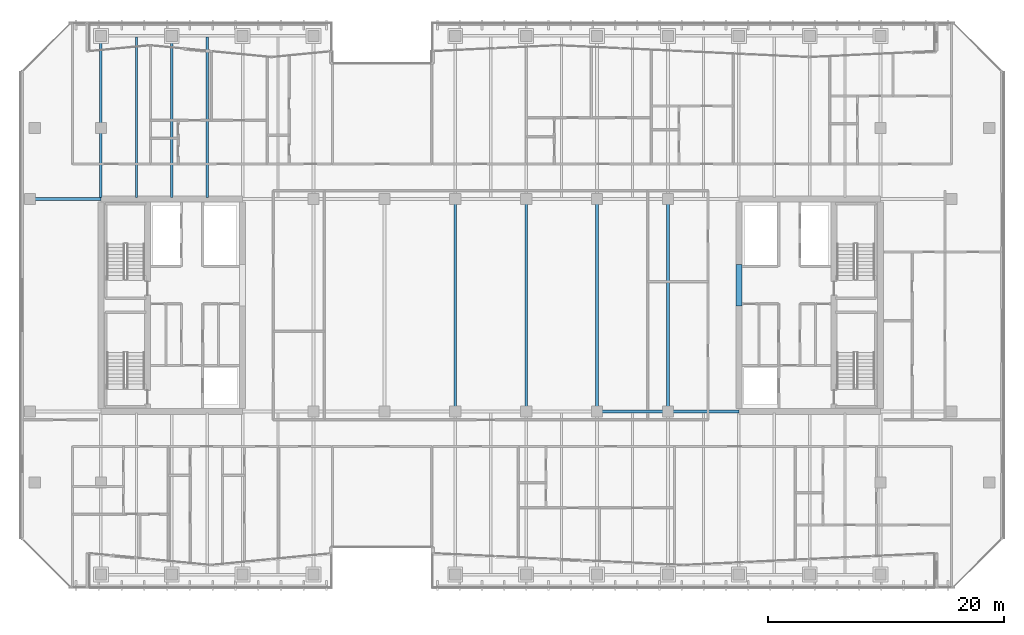
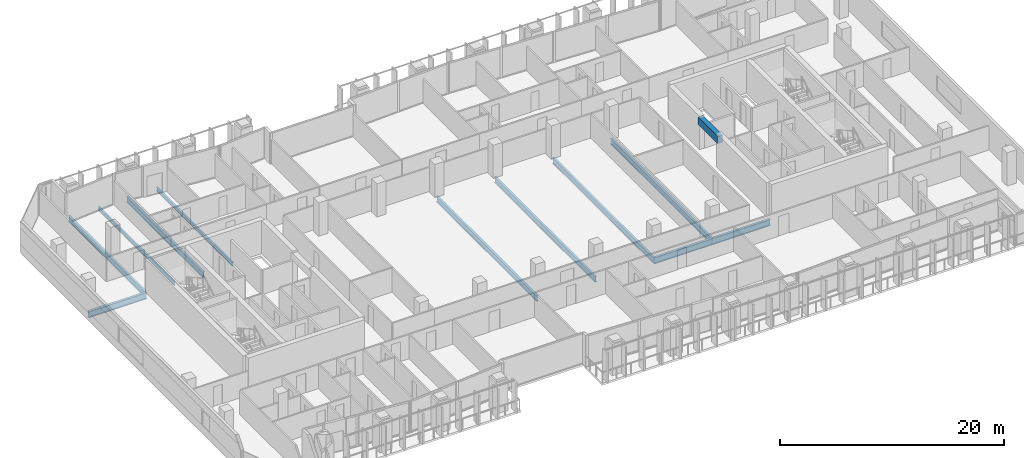
# One storey, part 10 of 39: 12 beams.
"""IFC4 building model written with IfcOpenShell, lengths in metres."""

from ifc_helpers import new_model, si_unit, direction, frame, origin, origin_2d, place, context, subcontext, project, spatial, rectangle, i_section, extrude, material, material_profile, profile_set, type_object, element, save


model = new_model("IFC4")

# Units and contexts
model_context = context("Model", 3, precision=1e-05, world=origin(), true_north=direction((0.0, 1.0)))
body_context = subcontext(model_context, "Body", "Model", "MODEL_VIEW")
ifc_project = project(units=[si_unit("LENGTHUNIT", "METRE"), si_unit("AREAUNIT", "SQUARE_METRE"), si_unit("VOLUMEUNIT", "CUBIC_METRE"), si_unit("PLANEANGLEUNIT", "RADIAN"), si_unit("MASSUNIT", "GRAM", prefix="KILO")], contexts=[model_context])

# Site, building, storey
site_placement = place(None, origin())
site = spatial("IfcSite", under=ifc_project, at=site_placement, CompositionType="ELEMENT")
building_placement = place(site_placement, origin())
building = spatial("IfcBuilding", under=site, at=building_placement, Name="Tanjung Sevakor Pilgrim Tower", CompositionType="ELEMENT")
storey_placement = place(building_placement, frame((0.0, 0.0, 108.570068359375)))
storey = spatial("IfcBuildingStorey", under=building, at=storey_placement, Name="L30", CompositionType="ELEMENT", Elevation=108.570068359375)

# Beams
ifc_material_1 = material(Name="Steel S355J2", Category="steel")
ifc_material_profile_1 = material_profile(ifc_material_1, i_section(OverallWidth=0.25439453125, OverallDepth=0.6875, WebThickness=0.01318359375, FlangeThickness=0.02099609375, FilletRadius=0.01513671875, at=origin_2d()))
ifc_profile_set_1 = profile_set([ifc_material_profile_1], Name="Steel S355J2")
beam_type_1 = type_object("IfcBeamType", Name="BM-B-G2-UB_686x254x152", PredefinedType="BEAM", material=ifc_profile_set_1)
for number, where, z_axis, x_axis, name in (
    (1, (66.0, 24.60009765625, -0.56396484375), (1.0, 0.0, 0.0), (0.0, 1.0, 0.0), "L30 Primary Floor Girder MAIN Y246-07"),
    (2, (72.0, 24.60009765625, -0.56396484375), (1.0, 0.0, 0.0), (0.0, 1.0, 0.0), "L30 Primary Floor Girder MAIN Y246-08"),
    (3, (18.0, 42.60009765625, -0.56396484375), (1.0, 0.0, 0.0), (0.0, 1.0, 0.0), "L30 Primary Floor Girder MAIN Y426-01"),
):
    element("IfcBeam", number, at=place(storey_placement, frame(where, z_axis=z_axis, x_axis=x_axis)), inside=storey, type_object=beam_type_1, Name=name, PredefinedType="BEAM", context=body_context, shape_type="SweptSolid", body=[
        extrude(i_section(OverallWidth=0.25439453125, OverallDepth=0.6875, WebThickness=0.01318359375, FlangeThickness=0.02099609375, FilletRadius=0.01513671875, at=origin_2d()), origin(), (0.0, 0.0, 1.0), 6.0),
    ])
ifc_material_2 = material(Name="Steel S355J2", Category="steel")
ifc_material_profile_2 = material_profile(ifc_material_2, i_section(OverallWidth=0.230224609375, OverallDepth=0.6171875, WebThickness=0.01318359375, FlangeThickness=0.022216796875, FilletRadius=0.0126953125, at=origin_2d()))
ifc_profile_set_2 = profile_set([ifc_material_profile_2], Name="Steel S355J2")
beam_type_2 = type_object("IfcBeamType", Name="BM-B-G3-UB_610x229x140", PredefinedType="BEAM", material=ifc_profile_set_2)
for number, where, z_axis, x_axis, name in (
    (4, (24.0, 42.727294921875, -0.528564453125), (0.0, 1.0, 0.0), (-1.0, 0.0, 0.0), "L30 MAIN Girder 002"),
    (5, (30.0, 42.727294921875, -0.528564453125), (0.0, 1.0, 0.0), (-1.0, 0.0, 0.0), "L30 MAIN Girder 006"),
):
    element("IfcBeam", number, at=place(storey_placement, frame(where, z_axis=z_axis, x_axis=x_axis)), inside=storey, type_object=beam_type_2, Name=name, PredefinedType="BEAM", context=body_context, shape_type="SweptSolid", body=[
        extrude(i_section(OverallWidth=0.230224609375, OverallDepth=0.6171875, WebThickness=0.01318359375, FlangeThickness=0.022216796875, FilletRadius=0.0126953125, at=origin_2d()), origin(), (0.0, 0.0, 1.0), 13.672607421875),
    ])
for number, where, z_axis, x_axis, name in (
    (6, (54.0, 24.60009765625, -0.528564453125), (0.0, 1.0, 0.0), (-1.0, 0.0, 0.0), "L30 MAIN Girder 018"),
    (7, (60.0, 24.60009765625, -0.528564453125), (0.0, 1.0, 0.0), (-1.0, 0.0, 0.0), "L30 MAIN Girder 023"),
    (8, (66.0, 24.60009765625, -0.528564453125), (0.0, 1.0, 0.0), (-1.0, 0.0, 0.0), "L30 MAIN Girder 028"),
    (9, (72.0, 24.60009765625, -0.528564453125), (0.0, 1.0, 0.0), (-1.0, 0.0, 0.0), "L30 MAIN Girder 033"),
):
    element("IfcBeam", number, at=place(storey_placement, frame(where, z_axis=z_axis, x_axis=x_axis)), inside=storey, type_object=beam_type_2, Name=name, PredefinedType="BEAM", context=body_context, shape_type="SweptSolid", body=[
        extrude(i_section(OverallWidth=0.230224609375, OverallDepth=0.6171875, WebThickness=0.01318359375, FlangeThickness=0.022216796875, FilletRadius=0.0126953125, at=origin_2d()), origin(), (0.0, 0.0, 1.0), 18.0),
    ])
ifc_material_3 = material(Name="Steel S355J2", Category="steel")
ifc_material_profile_3 = material_profile(ifc_material_3, i_section(OverallWidth=0.1787109375, OverallDepth=0.409423828125, WebThickness=0.0087890625, FlangeThickness=0.014404296875, FilletRadius=0.01025390625, at=origin_2d()))
ifc_profile_set_3 = profile_set([ifc_material_profile_3], Name="Steel S355J2")
beam_type_3 = type_object("IfcBeamType", Name="BM-B-J3-UB_406x178x67", PredefinedType="JOIST", material=ifc_profile_set_3)
for number, where, z_axis, x_axis, name in (
    (10, (27.0, 42.727294921875, -0.4248046875), (0.0, 1.0, 0.0), (-1.0, 0.0, 0.0), "L30 MAIN Joist 004"),
    (11, (33.0, 42.727294921875, -0.4248046875), (0.0, 1.0, 0.0), (-1.0, 0.0, 0.0), "L30 MAIN Joist 008"),
):
    element("IfcBeam", number, at=place(storey_placement, frame(where, z_axis=z_axis, x_axis=x_axis)), inside=storey, type_object=beam_type_3, Name=name, PredefinedType="JOIST", context=body_context, shape_type="SweptSolid", body=[
        extrude(i_section(OverallWidth=0.1787109375, OverallDepth=0.409423828125, WebThickness=0.0087890625, FlangeThickness=0.014404296875, FilletRadius=0.01025390625, at=origin_2d()), origin(), (0.0, 0.0, 1.0), 13.57275390625),
    ])
ifc_material_4 = material(Name="Concrete C60/75", Category="concrete")
ifc_material_profile_4 = material_profile(ifc_material_4, rectangle(XDim=0.5, YDim=0.800048828125, at=origin_2d()))
ifc_profile_set_4 = profile_set([ifc_material_profile_4], Name="Concrete C60/75")
beam_type_4 = type_object("IfcBeamType", Name="BM-B-LN2-RC-BM_500x800", PredefinedType="LINTEL", material=ifc_profile_set_4)
beam_placement = place(storey_placement, frame((78.0, 33.550048828125, 3.010009765625), z_axis=(0.0, 1.0, 0.0), x_axis=(-1.0, 0.0, 0.0)))
element("IfcBeam", 12, at=beam_placement, inside=storey, type_object=beam_type_4, Name="L30 E Core Coupling Lintel", PredefinedType="LINTEL", context=body_context, shape_type="SweptSolid", body=[
    extrude(rectangle(XDim=0.5, YDim=0.800048828125, at=origin_2d()), origin(), (0.0, 0.0, 1.0), 3.5),
])

save(model, "model.ifc")
